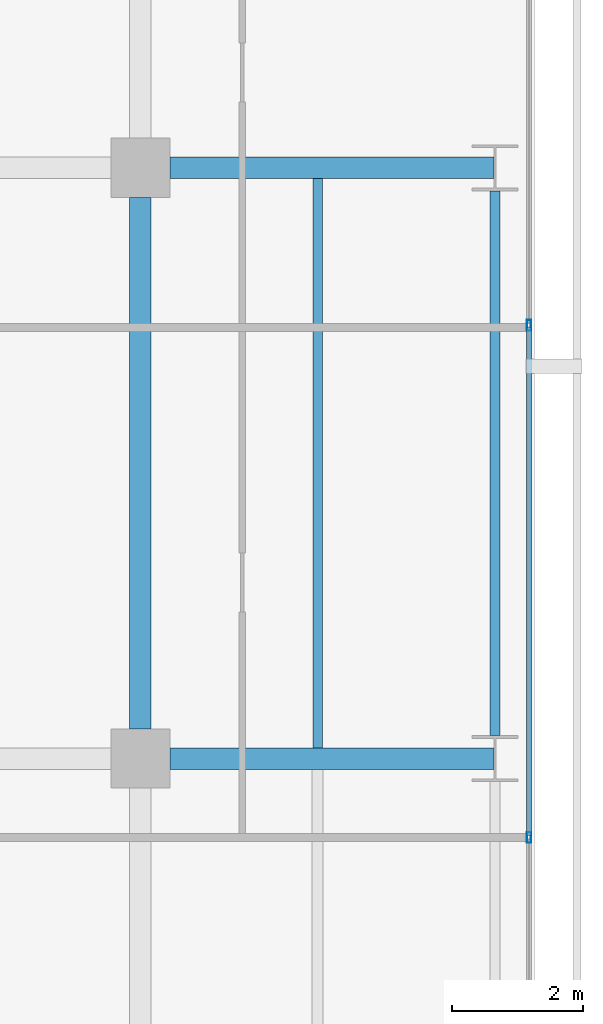
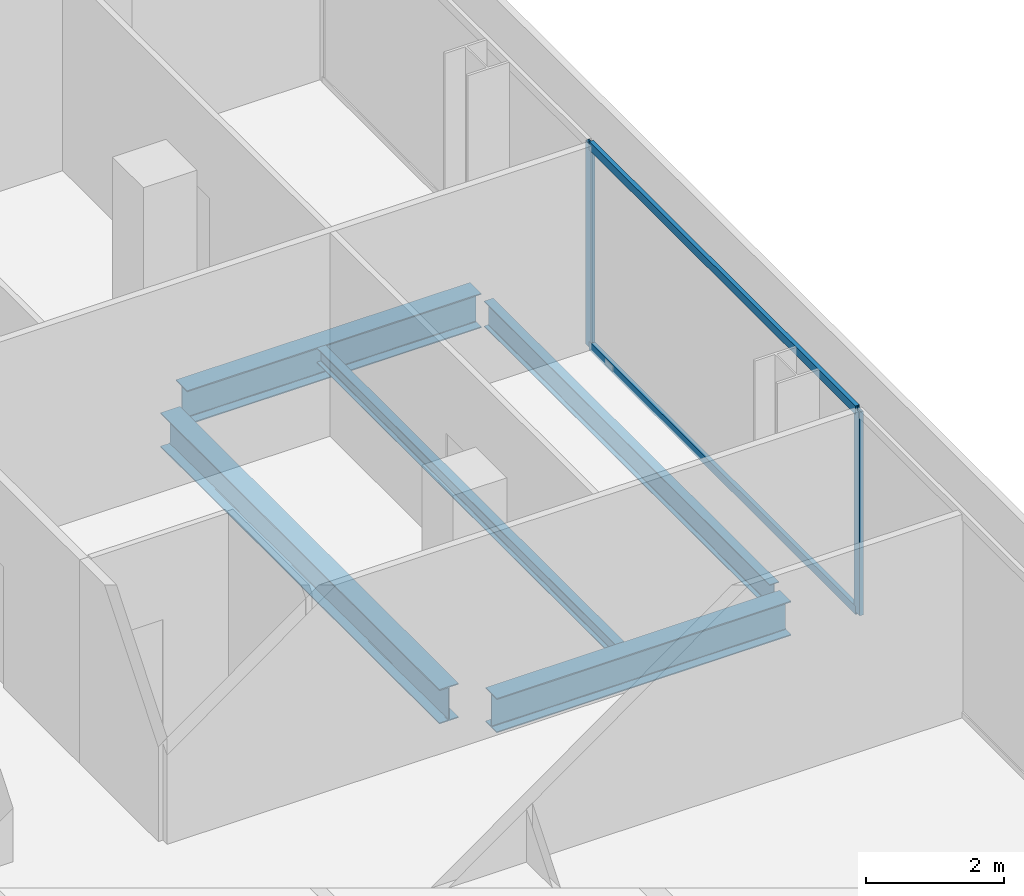
# One storey, part 28 of 40: 5 beams, 4 members, 1 element without a shape of its own.
"""IFC4 building model written with IfcOpenShell, lengths in metres."""

from ifc_helpers import new_model, si_unit, direction, frame, origin, origin_2d, place, context, subcontext, project, spatial, hollow_rectangle, i_section, extrude, material, layer, layer_set, material_profile, profile_set, type_object, element, aggregate, save


model = new_model("IFC4")

# Units and contexts
model_context = context("Model", 3, precision=1e-05, world=origin(), true_north=direction((0.0, 1.0)))
body_context = subcontext(model_context, "Body", "Model", "MODEL_VIEW")
ifc_project = project(units=[si_unit("LENGTHUNIT", "METRE"), si_unit("AREAUNIT", "SQUARE_METRE"), si_unit("VOLUMEUNIT", "CUBIC_METRE"), si_unit("PLANEANGLEUNIT", "RADIAN"), si_unit("MASSUNIT", "GRAM", prefix="KILO")], contexts=[model_context])

# Site, building, storey
site_placement = place(None, origin())
site = spatial("IfcSite", under=ifc_project, at=site_placement, CompositionType="ELEMENT")
building_placement = place(site_placement, origin())
building = spatial("IfcBuilding", under=site, at=building_placement, Name="Maruvema Waterfront Hotel and Observation Tower", CompositionType="ELEMENT")
storey_placement = place(building_placement, frame((0.0, 0.0, 92.39990234375)))
storey = spatial("IfcBuildingStorey", under=building, at=storey_placement, Name="L22", CompositionType="ELEMENT", Elevation=92.39990234375)

# Curtain wall, members
ifc_material_1 = material(Name="Anodised bronze aluminium and solar-control low-E IGU", Category="aluminium")
ifc_layer = layer(ifc_material_1, 0.159912109375, Name="Zone 1 Bronze Inner Thermal Curtain Wall System CW-02")
ifc_layer_set = layer_set([ifc_layer], Name="Anodised bronze aluminium and solar-control low-E IGU")
curtain_wall_type = type_object("IfcCurtainWallType", Name="Zone 1 Bronze Inner Thermal Curtain Wall System CW-02", PredefinedType="USERDEFINED", material=ifc_layer_set)
curtain_wall_placement = place(storey_placement, origin())
curtain_wall = element("IfcCurtainWall", 1, at=curtain_wall_placement, inside=storey, type_object=curtain_wall_type, Name="L22 Curtain Wall CW-L22-E", ObjectType="UNITISED CURTAIN WALL", PredefinedType="USERDEFINED")
ifc_material_2 = material(Name="Anodised architectural bronze aluminium", Category="aluminium")
ifc_material_profile_1 = material_profile(ifc_material_2, hollow_rectangle(XDim=0.070068359375, YDim=0.14990234375, WallThickness=0.00390625, at=origin_2d()), Name="ALU-T70x150")
ifc_profile_set_1 = profile_set([ifc_material_profile_1], Name="Anodised architectural bronze aluminium")
member_type_1 = type_object("IfcMemberType", Name="Curtain Wall Horizontal Transom ALU-T70x150", PredefinedType="USERDEFINED", material=ifc_profile_set_1)
member_1_placement = place(storey_placement, frame((64.719970703125, 34.830078125, 0.030029296875), z_axis=(0.0, 1.0, 0.0), x_axis=(-1.0, 0.0, 0.0)))
member_1 = element("IfcMember", 2, at=member_1_placement, type_object=member_type_1, Name="CW-02 transom 5.1", ObjectType="TRANSOM", PredefinedType="USERDEFINED", context=body_context, shape_type="SweptSolid", body=[
    extrude(hollow_rectangle(XDim=0.070068359375, YDim=0.14990234375, WallThickness=0.00390625, at=origin_2d()), origin(), (0.0, 0.0, 1.0), 7.739990234375),
])
member_2_placement = place(storey_placement, frame((64.719970703125, 34.830078125, 3.580078125), z_axis=(0.0, 1.0, 0.0), x_axis=(-1.0, 0.0, 0.0)))
member_2 = element("IfcMember", 3, at=member_2_placement, type_object=member_type_1, Name="CW-02 transom 5.2", ObjectType="TRANSOM", PredefinedType="USERDEFINED", context=body_context, shape_type="SweptSolid", body=[
    extrude(hollow_rectangle(XDim=0.070068359375, YDim=0.14990234375, WallThickness=0.00390625, at=origin_2d()), origin(), (0.0, 0.0, 1.0), 7.739990234375),
])
ifc_material_3 = material(Name="Anodised architectural bronze aluminium", Category="aluminium")
ifc_material_profile_2 = material_profile(ifc_material_3, hollow_rectangle(XDim=0.06494140625, YDim=0.1650390625, WallThickness=0.00390625, at=origin_2d()), Name="ALU-M65x165")
ifc_profile_set_2 = profile_set([ifc_material_profile_2], Name="Anodised architectural bronze aluminium")
member_type_2 = type_object("IfcMemberType", Name="Curtain Wall Primary Mullion ALU-M65x165", PredefinedType="MULLION", material=ifc_profile_set_2)
member_3_placement = place(storey_placement, frame((64.719970703125, 34.800048828125, 0.0), z_axis=(0.0, 0.0, 1.0), x_axis=(-1.0, 0.0, 0.0)))
member_3 = element("IfcMember", 4, at=member_3_placement, type_object=member_type_2, Name="CW-02 mullion 5", PredefinedType="MULLION", context=body_context, shape_type="SweptSolid", body=[
    extrude(hollow_rectangle(XDim=0.06494140625, YDim=0.1650390625, WallThickness=0.00390625, at=origin_2d()), origin(), (0.0, 0.0, 1.0), 3.610107421875),
])
member_4_placement = place(storey_placement, frame((64.719970703125, 42.60009765625, 0.0), z_axis=(0.0, 0.0, 1.0), x_axis=(-1.0, 0.0, 0.0)))
member_4 = element("IfcMember", 5, at=member_4_placement, type_object=member_type_2, Name="CW-02 mullion 6", PredefinedType="MULLION", context=body_context, shape_type="SweptSolid", body=[
    extrude(hollow_rectangle(XDim=0.06494140625, YDim=0.1650390625, WallThickness=0.00390625, at=origin_2d()), origin(), (0.0, 0.0, 1.0), 3.610107421875),
])
aggregate(curtain_wall, [member_3, member_4, member_1, member_2])

# Beams
ifc_material_4 = material(Name="Steel ASTM A572 Grade 50", Category="steel")
ifc_material_profile_3 = material_profile(ifc_material_4, i_section(OverallWidth=0.153076171875, OverallDepth=0.455078125, WebThickness=0.008056640625, FlangeThickness=0.01318359375, FilletRadius=0.014892578125, at=origin_2d()), Name="W460x60.0")
ifc_profile_set_3 = profile_set([ifc_material_profile_3], Name="Steel ASTM A572 Grade 50")
beam_type_1 = type_object("IfcBeamType", Name="Perimeter Spandrel Beam W460x60.0", PredefinedType="SPANDREL", material=ifc_profile_set_3)
beam_1_placement = place(storey_placement, frame((64.199951171875, 36.35009765625, -0.46728515625), z_axis=(0.0, 1.0, 0.0), x_axis=(-1.0, 0.0, 0.0)))
element("IfcBeam", 6, at=beam_1_placement, inside=storey, type_object=beam_type_1, Name="L22 Floor Girder NS-36", PredefinedType="SPANDREL", context=body_context, shape_type="SweptSolid", body=[
    extrude(i_section(OverallWidth=0.153076171875, OverallDepth=0.455078125, WebThickness=0.008056640625, FlangeThickness=0.01318359375, FilletRadius=0.014892578125, at=origin_2d()), origin(), (0.0, 0.0, 1.0), 8.2998046875),
])
ifc_material_5 = material(Name="Steel ASTM A572 Grade 50", Category="steel")
ifc_material_profile_4 = material_profile(ifc_material_5, i_section(OverallWidth=0.323974609375, OverallDepth=0.611083984375, WebThickness=0.0126953125, FlangeThickness=0.01904296875, FilletRadius=0.01806640625, at=origin_2d()), Name="W610x155.0")
ifc_profile_set_4 = profile_set([ifc_material_profile_4], Name="Steel ASTM A572 Grade 50")
beam_type_2 = type_object("IfcBeamType", Name="Primary Floor Girder W610x155.0", PredefinedType="BEAM", material=ifc_profile_set_4)
for number, where, z_axis, x_axis, name in (
    (7, (59.25, 36.0, -0.54541015625), (1.0, 0.0, 0.0), (0.0, 1.0, 0.0), "L22 Floor Girder EW-31"),
    (8, (59.25, 45.0, -0.54541015625), (1.0, 0.0, 0.0), (0.0, 1.0, 0.0), "L22 Floor Girder EW-35"),
):
    element("IfcBeam", number, at=place(storey_placement, frame(where, z_axis=z_axis, x_axis=x_axis)), inside=storey, type_object=beam_type_2, Name=name, PredefinedType="BEAM", context=body_context, shape_type="SweptSolid", body=[
        extrude(i_section(OverallWidth=0.323974609375, OverallDepth=0.611083984375, WebThickness=0.0126953125, FlangeThickness=0.01904296875, FilletRadius=0.01806640625, at=origin_2d()), origin(), (0.0, 0.0, 1.0), 4.93603515625),
    ])
beam_2_placement = place(storey_placement, frame((58.800048828125, 36.449951171875, -0.54541015625), z_axis=(0.0, 1.0, 0.0), x_axis=(-1.0, 0.0, 0.0)))
element("IfcBeam", 9, at=beam_2_placement, inside=storey, type_object=beam_type_2, Name="L22 Floor Girder NS-31", PredefinedType="BEAM", context=body_context, shape_type="SweptSolid", body=[
    extrude(i_section(OverallWidth=0.323974609375, OverallDepth=0.611083984375, WebThickness=0.0126953125, FlangeThickness=0.01904296875, FilletRadius=0.01806640625, at=origin_2d()), origin(), (0.0, 0.0, 1.0), 8.10009765625),
])
ifc_material_6 = material(Name="Steel ASTM A572 Grade 50", Category="steel")
ifc_material_profile_5 = material_profile(ifc_material_6, i_section(OverallWidth=0.14794921875, OverallDepth=0.26611328125, WebThickness=0.007568359375, FlangeThickness=0.012939453125, FilletRadius=0.012939453125, at=origin_2d()), Name="W250x44.8")
ifc_profile_set_5 = profile_set([ifc_material_profile_5], Name="Steel ASTM A572 Grade 50")
beam_type_3 = type_object("IfcBeamType", Name="Secondary Floor Joist W250x44.8", PredefinedType="JOIST", material=ifc_profile_set_5)
beam_3_placement = place(storey_placement, frame((61.5, 36.162109375, -0.372802734375), z_axis=(0.0, 1.0, 0.0), x_axis=(-1.0, 0.0, 0.0)))
element("IfcBeam", 10, at=beam_3_placement, inside=storey, type_object=beam_type_3, Name="L22 Secondary Floor Joist JS-24", PredefinedType="JOIST", context=body_context, shape_type="SweptSolid", body=[
    extrude(i_section(OverallWidth=0.14794921875, OverallDepth=0.26611328125, WebThickness=0.007568359375, FlangeThickness=0.012939453125, FilletRadius=0.012939453125, at=origin_2d()), origin(), (0.0, 0.0, 1.0), 8.67578125),
])

save(model, "model.ifc")
